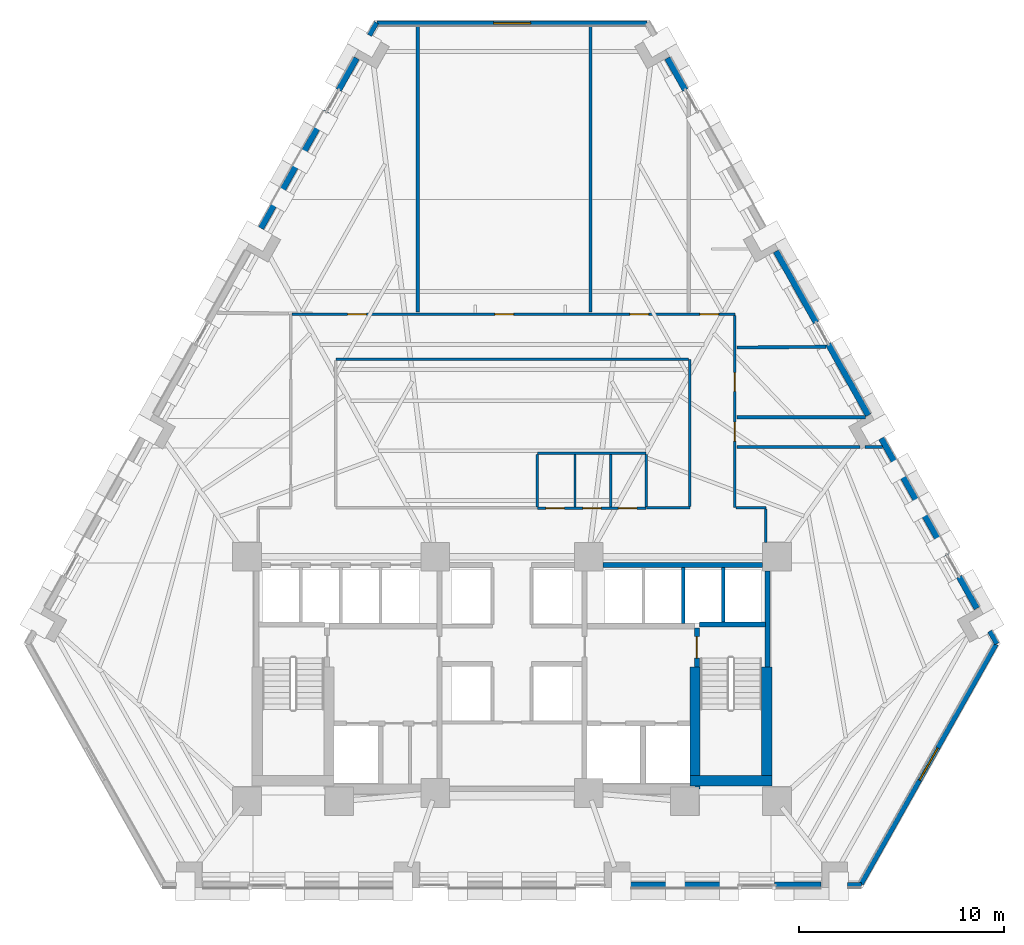
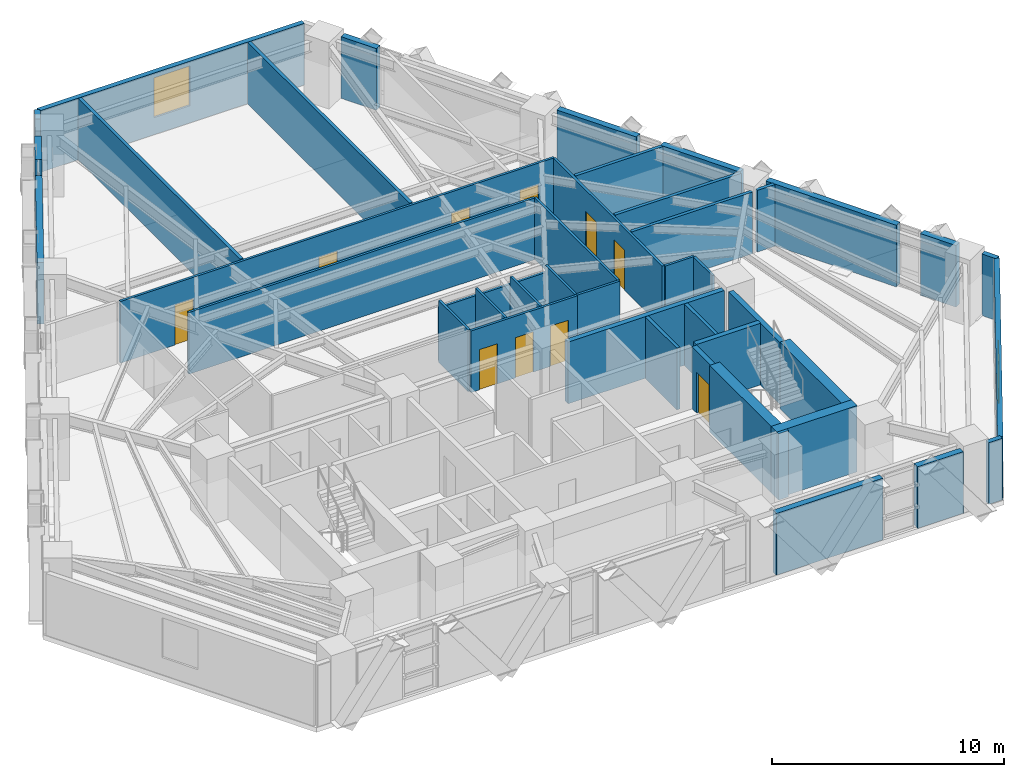
# One storey, part 8 of 13: 42 walls, 10 doors, 2 windows, 12 openings.
"""IFC4 building model written with IfcOpenShell, lengths in metres."""

from ifc_helpers import new_model, si_unit, direction, frame, frame_2d, origin, place, context, subcontext, project, spatial, rectangle, extrude, material, layer, layer_set, type_object, element, fill, save


model = new_model("IFC4")

# Units and contexts
model_context = context("Model", 3, precision=1e-05, world=origin(), true_north=direction((0.0, 1.0)))
body_context = subcontext(model_context, "Body", "Model", "MODEL_VIEW")
ifc_project = project(units=[si_unit("LENGTHUNIT", "METRE"), si_unit("AREAUNIT", "SQUARE_METRE"), si_unit("VOLUMEUNIT", "CUBIC_METRE"), si_unit("PLANEANGLEUNIT", "RADIAN"), si_unit("MASSUNIT", "GRAM", prefix="KILO")], contexts=[model_context])

# Site, building, storey
site_placement = place(None, origin())
site = spatial("IfcSite", under=ifc_project, at=site_placement, CompositionType="ELEMENT")
building_placement = place(site_placement, origin())
building = spatial("IfcBuilding", under=site, at=building_placement, Name="Quenlor Broadcast Tower", CompositionType="ELEMENT")
storey_placement = place(building_placement, frame((0.0, 0.0, 69.60009765625)))
storey = spatial("IfcBuildingStorey", under=building, at=storey_placement, Name="L18", CompositionType="ELEMENT", Elevation=69.60009765625)

# Walls
ifc_material_1 = material(Name="Concrete C65/80", Category="concrete")
ifc_layer_1 = layer(ifc_material_1, 0.5)
ifc_layer_set_1 = layer_set([ifc_layer_1], Name="Core Concrete C65/80 Shear Wall 500")
wall_type_1 = type_object("IfcWallType", Name="Core Concrete C65/80 Shear Wall 500", PredefinedType="SHEAR", material=ifc_layer_set_1)
wall_1_placement = place(storey_placement, frame((8.699951171875, -15.75, 0.0), z_axis=(0.0, 0.0, 1.0), x_axis=(1.0, 0.0, 0.0)))
element("IfcWall", 1, at=wall_1_placement, inside=storey, type_object=wall_type_1, Name="L18 Core Shear Wall WS-E2", PredefinedType="SHEAR", context=body_context, shape_type="SweptSolid", body=[
    extrude(rectangle(XDim=4.0, YDim=0.5, at=frame_2d((2.0, 0.0))), origin(), (0.0, 0.0, 1.0), 3.5),
])
wall_2_placement = place(storey_placement, frame((12.449951171875, -15.75, 0.0), z_axis=(0.0, 0.0, 1.0), x_axis=(0.0, 1.0, 0.0)))
element("IfcWall", 2, at=wall_2_placement, inside=storey, type_object=wall_type_1, Name="L18 Core Shear Wall WF-E", PredefinedType="SHEAR", context=body_context, shape_type="SweptSolid", body=[
    extrude(rectangle(XDim=5.550048828125, YDim=0.5, at=frame_2d((2.77490234375, 0.0))), origin(), (0.0, 0.0, 1.0), 3.5),
])
wall_3_placement = place(storey_placement, frame((8.949951171875, -16.14990234375, 0.0), z_axis=(0.0, 0.0, 1.0), x_axis=(0.0, 1.0, 0.0)))
element("IfcWall", 3, at=wall_3_placement, inside=storey, type_object=wall_type_1, Name="L18 Core Shear Wall WI-E", PredefinedType="SHEAR", context=body_context, shape_type="SweptSolid", body=[
    extrude(rectangle(XDim=5.949951171875, YDim=0.5, at=frame_2d((2.97509765625, 0.0))), origin(), (0.0, 0.0, 1.0), 3.5),
])

# Wall, opening, door
ifc_material_2 = material(Name="Concrete C40/50", Category="concrete")
ifc_layer_2 = layer(ifc_material_2, 0.25)
ifc_layer_set_2 = layer_set([ifc_layer_2], Name="Fire Rated Concrete C40/50 Core Wall 250")
wall_type_2 = type_object("IfcWallType", Name="Fire Rated Concrete C40/50 Core Wall 250", PredefinedType="PARTITIONING", material=ifc_layer_set_2)
wall_4_placement = place(storey_placement, frame((9.0400390625, -10.179931640625, 0.0), z_axis=(0.0, 0.0, 1.0), x_axis=(0.0, 1.0, 0.0)))
wall_4 = element("IfcWall", 4, at=wall_4_placement, inside=storey, type_object=wall_type_2, Name="L18 Interior Wall CW-ST2-DR", PredefinedType="PARTITIONING", context=body_context, shape_type="SweptSolid", body=[
    extrude(rectangle(XDim=1.89990234375, YDim=0.25, at=frame_2d((0.949951171875, 0.0))), origin(), (0.0, 0.0, 1.0), 3.25),
])
opening_1_placement = place(wall_4_placement, frame((0.419921875, 0.0, 0.0)))
opening_1 = element("IfcOpeningElement", 5, at=opening_1_placement, cuts=wall_4, Name="Opening FD-1", PredefinedType="OPENING", context=body_context, shape_type="SweptSolid", body=[
    extrude(rectangle(XDim=1.050048828125, YDim=2.14990234375, at=frame_2d((0.52490234375, 1.074951171875))), frame((0.0, 0.135009765625, 0.0), z_axis=(0.0, -1.0, 0.0), x_axis=(1.0, 0.0, 0.0)), (0.0, 0.0, 1.0), 0.27001953125),
])
ifc_material_3 = material(Name="Fire Rated Steel Door Leaf", Category="steel")
door_type_1 = type_object("IfcDoorType", Name="Fire Isolated Stair Door 1050x2150", OperationType="NOTDEFINED", PredefinedType="DOOR", material=ifc_material_3)
door_1_placement = place(opening_1_placement, origin())
door_1 = element("IfcDoor", 6, at=door_1_placement, inside=storey, type_object=door_type_1, Name="L18 Door DR-ST2", OperationType="SINGLE_SWING_RIGHT", OverallHeight=2.14990234375, OverallWidth=1.050048828125, PredefinedType="DOOR", context=body_context, shape_type="SweptSolid", body=[
    extrude(rectangle(XDim=1.050048828125, YDim=2.14990234375, at=frame_2d((0.52490234375, 1.074951171875))), frame((0.0, 0.02490234375, 0.0), z_axis=(0.0, -1.0, 0.0), x_axis=(1.0, 0.0, 0.0)), (0.0, 0.0, 1.0), 0.050048828125),
])
fill(opening_1, door_1)

# Walls
wall_5_placement = place(storey_placement, frame((9.159912109375, -8.1201171875, 0.0), z_axis=(0.0, 0.0, 1.0), x_axis=(1.0, 0.0, 0.0)))
element("IfcWall", 7, at=wall_5_placement, inside=storey, type_object=wall_type_2, Name="L18 Interior Wall CW-ST2-N", PredefinedType="PARTITIONING", context=body_context, shape_type="SweptSolid", body=[
    extrude(rectangle(XDim=3.219970703125, YDim=0.25, at=frame_2d((1.60986328125, 0.0))), origin(), (0.0, 0.0, 1.0), 3.25),
])
wall_6_placement = place(storey_placement, frame((12.47998046875, -10.179931640625, 0.0), z_axis=(0.0, 0.0, 1.0), x_axis=(0.0, 1.0, 0.0)))
element("IfcWall", 8, at=wall_6_placement, inside=storey, type_object=wall_type_2, Name="L18 Interior Wall CW-ST2-E2", PredefinedType="PARTITIONING", context=body_context, shape_type="SweptSolid", body=[
    extrude(rectangle(XDim=4.677978515625, YDim=0.25, at=frame_2d((2.3388671875, 0.0))), origin(), (0.0, 0.0, 1.0), 3.25),
])
wall_7_placement = place(storey_placement, frame((4.451904296875, -5.199951171875, 0.0), z_axis=(0.0, 0.0, 1.0), x_axis=(1.0, 0.0, 0.0)))
element("IfcWall", 9, at=wall_7_placement, inside=storey, type_object=wall_type_2, Name="L18 Interior Wall CW-N-E", PredefinedType="PARTITIONING", context=body_context, shape_type="SweptSolid", body=[
    extrude(rectangle(XDim=7.796142578125, YDim=0.25, at=frame_2d((3.89794921875, 0.0))), origin(), (0.0, 0.0, 1.0), 3.25),
])
ifc_material_4 = material(Name="Gypsum Fireboard Partition", Category="other")
ifc_layer_3 = layer(ifc_material_4, 0.159912109375)
ifc_layer_set_3 = layer_set([ifc_layer_3], Name="Fire Rated Shaft and Corridor Partition 160")
wall_type_3 = type_object("IfcWallType", Name="Fire Rated Shaft and Corridor Partition 160", PredefinedType="PARTITIONING", material=ifc_layer_set_3)
wall_8_placement = place(storey_placement, frame((8.375, -8.072998046875, 0.0), z_axis=(0.0, 0.0, 1.0), x_axis=(0.0, 1.0, 0.0)))
element("IfcWall", 10, at=wall_8_placement, inside=storey, type_object=wall_type_3, Name="L18 Interior Wall CW-PLH-D2", PredefinedType="PARTITIONING", context=body_context, shape_type="SweptSolid", body=[
    extrude(rectangle(XDim=2.73291015625, YDim=0.159912109375, at=frame_2d((1.366455078125, 0.0))), origin(), (0.0, 0.0, 1.0), 3.25),
])
wall_9_placement = place(storey_placement, frame((10.324951171875, -7.992919921875, 0.0), z_axis=(0.0, 0.0, 1.0), x_axis=(0.0, 1.0, 0.0)))
element("IfcWall", 11, at=wall_9_placement, inside=storey, type_object=wall_type_3, Name="L18 Interior Wall CW-PLH-D3", PredefinedType="PARTITIONING", context=body_context, shape_type="SweptSolid", body=[
    extrude(rectangle(XDim=2.65283203125, YDim=0.159912109375, at=frame_2d((1.326416015625, 0.0))), origin(), (0.0, 0.0, 1.0), 3.25),
])
for number, where, z_axis, x_axis, name in (
    (12, (3.840087890625, 21.14990234375, 0.0), (0.0, 0.0, 1.0), (0.0, -1.0, 0.0), "L18 Interior Wall PW-DV-01"),
    (13, (-4.60009765625, 7.159912109375, 0.0), (0.0, 0.0, 1.0), (0.0, 1.0, 0.0), "L18 Interior Wall PW-DV-02"),
):
    element("IfcWall", number, at=place(storey_placement, frame(where, z_axis=z_axis, x_axis=x_axis)), inside=storey, type_object=wall_type_3, Name=name, PredefinedType="PARTITIONING", context=body_context, shape_type="SweptSolid", body=[
        extrude(rectangle(XDim=13.989990234375, YDim=0.159912109375, at=frame_2d((6.9951171875, 0.0))), origin(), (0.0, 0.0, 1.0), 3.25),
    ])
wall_10_placement = place(storey_placement, frame((15.358642578125, 5.45947265625, 0.0), z_axis=(0.0, 0.0, 1.0), x_axis=(-0.999961739957, -0.00874749237, 0.0)))
element("IfcWall", 14, at=wall_10_placement, inside=storey, type_object=wall_type_3, Name="L18 Interior Wall PW-DV-05", PredefinedType="PARTITIONING", context=body_context, shape_type="SweptSolid", body=[
    extrude(rectangle(XDim=4.35400390625, YDim=0.159912109375, at=frame_2d((2.177001953125, 0.0))), origin(), (0.0, 0.0, 1.0), 3.25),
])
wall_11_placement = place(storey_placement, frame((17.2841796875, 2.02001953125, 0.0), z_axis=(0.0, 0.0, 1.0), x_axis=(-1.0, 0.0, 0.0)))
element("IfcWall", 15, at=wall_11_placement, inside=storey, type_object=wall_type_3, Name="L18 Interior Wall PW-DV-06", PredefinedType="PARTITIONING", context=body_context, shape_type="SweptSolid", body=[
    extrude(rectangle(XDim=6.279296875, YDim=0.159912109375, at=frame_2d((3.1396484375, 0.0))), origin(), (0.0, 0.0, 1.0), 3.25),
])
wall_12_placement = place(storey_placement, frame((18.11279296875, 0.563232421875, 0.0), z_axis=(0.0, 0.0, 1.0), x_axis=(-1.0, 0.0, 0.0)))
element("IfcWall", 16, at=wall_12_placement, inside=storey, type_object=wall_type_3, Name="L18 Interior Wall PW-DV-07", PredefinedType="PARTITIONING", context=body_context, shape_type="SweptSolid", body=[
    extrude(rectangle(XDim=0.860595703125, YDim=0.159912109375, at=frame_2d((0.43017578125, 0.0))), origin(), (0.0, 0.0, 1.0), 3.25),
])
wall_13_placement = place(storey_placement, frame((17.005615234375, 0.563232421875, 0.0), z_axis=(0.0, 0.0, 1.0), x_axis=(-1.0, 0.0, 0.0)))
element("IfcWall", 17, at=wall_13_placement, inside=storey, type_object=wall_type_3, Name="L18 Interior Wall PW-DV-07S2", PredefinedType="PARTITIONING", context=body_context, shape_type="SweptSolid", body=[
    extrude(rectangle(XDim=6.000732421875, YDim=0.159912109375, at=frame_2d((3.00048828125, 0.0))), origin(), (0.0, 0.0, 1.0), 3.25),
])

# Wall, openings, doors
ifc_material_5 = material(Name="Gypsum Plasterboard Partition", Category="other")
ifc_layer_4 = layer(ifc_material_5, 0.1201171875)
ifc_layer_set_4 = layer_set([ifc_layer_4], Name="Standard Office Partition 120")
wall_type_4 = type_object("IfcWallType", Name="Standard Office Partition 120", PredefinedType="PARTITIONING", material=ifc_layer_set_4)
wall_14_placement = place(storey_placement, frame((1.239990234375, -2.43994140625, 0.0), z_axis=(0.0, 0.0, 1.0), x_axis=(1.0, 0.0, 0.0)))
wall_14 = element("IfcWall", 18, at=wall_14_placement, inside=storey, type_object=wall_type_4, Name="L18 Interior Wall PW-WC-S", PredefinedType="PARTITIONING", context=body_context, shape_type="SweptSolid", body=[
    extrude(rectangle(XDim=5.320068359375, YDim=0.1201171875, at=frame_2d((2.66015625, 0.0))), origin(), (0.0, 0.0, 1.0), 3.25),
])
opening_2_placement = place(wall_14_placement, frame((0.419921875, 0.0, 0.0)))
opening_2 = element("IfcOpeningElement", 19, at=opening_2_placement, cuts=wall_14, Name="Opening ID-3", PredefinedType="OPENING", context=body_context, shape_type="SweptSolid", body=[
    extrude(rectangle(XDim=0.89990234375, YDim=2.1201171875, at=frame_2d((0.449951171875, 1.06005859375))), frame((0.0, 0.070068359375, 0.0), z_axis=(0.0, -1.0, 0.0), x_axis=(1.0, 0.0, 0.0)), (0.0, 0.0, 1.0), 0.14013671875),
])
opening_3_placement = place(wall_14_placement, frame((2.219970703125, 0.0, 0.0)))
opening_3 = element("IfcOpeningElement", 20, at=opening_3_placement, cuts=wall_14, Name="Opening ID-3", PredefinedType="OPENING", context=body_context, shape_type="SweptSolid", body=[
    extrude(rectangle(XDim=0.89990234375, YDim=2.1201171875, at=frame_2d((0.449951171875, 1.06005859375))), frame((0.0, 0.070068359375, 0.0), z_axis=(0.0, -1.0, 0.0), x_axis=(1.0, 0.0, 0.0)), (0.0, 0.0, 1.0), 0.14013671875),
])
opening_4_placement = place(wall_14_placement, frame((3.9599609375, 0.0, 0.0)))
opening_4 = element("IfcOpeningElement", 21, at=opening_4_placement, cuts=wall_14, Name="Opening ID-3", PredefinedType="OPENING", context=body_context, shape_type="SweptSolid", body=[
    extrude(rectangle(XDim=0.89990234375, YDim=2.1201171875, at=frame_2d((0.449951171875, 1.06005859375))), frame((0.0, 0.070068359375, 0.0), z_axis=(0.0, -1.0, 0.0), x_axis=(1.0, 0.0, 0.0)), (0.0, 0.0, 1.0), 0.14013671875),
])
ifc_material_6 = material(Name="Moisture Resistant Timber Oak", Category="wood")
door_type_2 = type_object("IfcDoorType", Name="Washroom Privacy Door 900x2120", OperationType="NOTDEFINED", PredefinedType="DOOR", material=ifc_material_6)
door_2_placement = place(opening_2_placement, origin())
door_2 = element("IfcDoor", 22, at=door_2_placement, inside=storey, type_object=door_type_2, Name="L18 Door DR-AWC", OperationType="SINGLE_SWING_LEFT", OverallHeight=2.1201171875, OverallWidth=0.89990234375, PredefinedType="DOOR", context=body_context, shape_type="SweptSolid", body=[
    extrude(rectangle(XDim=0.89990234375, YDim=2.1201171875, at=frame_2d((0.449951171875, 1.06005859375))), frame((0.0, 0.02490234375, 0.0), z_axis=(0.0, -1.0, 0.0), x_axis=(1.0, 0.0, 0.0)), (0.0, 0.0, 1.0), 0.050048828125),
])
fill(opening_2, door_2)
door_3_placement = place(opening_3_placement, origin())
door_3 = element("IfcDoor", 23, at=door_3_placement, inside=storey, type_object=door_type_2, Name="L18 Door DR-MWC", OperationType="SINGLE_SWING_LEFT", OverallHeight=2.1201171875, OverallWidth=0.89990234375, PredefinedType="DOOR", context=body_context, shape_type="SweptSolid", body=[
    extrude(rectangle(XDim=0.89990234375, YDim=2.1201171875, at=frame_2d((0.449951171875, 1.06005859375))), frame((0.0, 0.02490234375, 0.0), z_axis=(0.0, -1.0, 0.0), x_axis=(1.0, 0.0, 0.0)), (0.0, 0.0, 1.0), 0.050048828125),
])
fill(opening_3, door_3)
door_4_placement = place(opening_4_placement, origin())
door_4 = element("IfcDoor", 24, at=door_4_placement, inside=storey, type_object=door_type_2, Name="L18 Door DR-FWC", OperationType="SINGLE_SWING_RIGHT", OverallHeight=2.1201171875, OverallWidth=0.89990234375, PredefinedType="DOOR", context=body_context, shape_type="SweptSolid", body=[
    extrude(rectangle(XDim=0.89990234375, YDim=2.1201171875, at=frame_2d((0.449951171875, 1.06005859375))), frame((0.0, 0.02490234375, 0.0), z_axis=(0.0, -1.0, 0.0), x_axis=(1.0, 0.0, 0.0)), (0.0, 0.0, 1.0), 0.050048828125),
])
fill(opening_4, door_4)

# Walls
wall_15_placement = place(storey_placement, frame((1.239990234375, 0.260009765625, 0.0), z_axis=(0.0, 0.0, 1.0), x_axis=(1.0, 0.0, 0.0)))
element("IfcWall", 25, at=wall_15_placement, inside=storey, type_object=wall_type_4, Name="L18 Interior Wall PW-WC-N", PredefinedType="PARTITIONING", context=body_context, shape_type="SweptSolid", body=[
    extrude(rectangle(XDim=5.320068359375, YDim=0.1201171875, at=frame_2d((2.66015625, 0.0))), origin(), (0.0, 0.0, 1.0), 2.843505859375),
])
for number, where, z_axis, x_axis, name in (
    (26, (1.239990234375, -2.3779296875, 0.0), (0.0, 0.0, 1.0), (0.0, 1.0, 0.0), "L18 Interior Wall PW-WC-W"),
    (27, (3.080078125, -2.3779296875, 0.0), (0.0, 0.0, 1.0), (0.0, 1.0, 0.0), "L18 Interior Wall PW-WC-M1"),
    (28, (4.820068359375, -2.3779296875, 0.0), (0.0, 0.0, 1.0), (0.0, 1.0, 0.0), "L18 Interior Wall PW-WC-M2"),
    (29, (6.56005859375, -2.3779296875, 0.0), (0.0, 0.0, 1.0), (0.0, 1.0, 0.0), "L18 Interior Wall PW-WC-E"),
):
    element("IfcWall", number, at=place(storey_placement, frame(where, z_axis=z_axis, x_axis=x_axis)), inside=storey, type_object=wall_type_4, Name=name, PredefinedType="PARTITIONING", context=body_context, shape_type="SweptSolid", body=[
        extrude(rectangle(XDim=2.575927734375, YDim=0.1201171875, at=frame_2d((1.2880859375, 0.0))), origin(), (0.0, 0.0, 1.0), 3.25),
    ])

# Wall, openings, doors
wall_16_placement = place(storey_placement, frame((-10.742919921875, 7.050048828125, 0.0), z_axis=(0.0, 0.0, 1.0), x_axis=(1.0, 0.0, 0.0)))
wall_16 = element("IfcWall", 30, at=wall_16_placement, inside=storey, type_object=wall_type_4, Name="L18 Interior Wall PW-CR-03", PredefinedType="PARTITIONING", context=body_context, shape_type="SweptSolid", body=[
    extrude(rectangle(XDim=21.637939453125, YDim=0.1201171875, at=frame_2d((10.81884765625, 0.0))), origin(), (0.0, 0.0, 1.0), 3.25),
])
opening_5_placement = place(wall_16_placement, frame((9.903076171875, 0.0, 0.0)))
opening_5 = element("IfcOpeningElement", 31, at=opening_5_placement, cuts=wall_16, Name="Opening ID-1", PredefinedType="OPENING", context=body_context, shape_type="SweptSolid", body=[
    extrude(rectangle(XDim=0.919921875, YDim=2.1201171875, at=frame_2d((0.4599609375, 1.06005859375))), frame((0.0, 0.070068359375, 0.0), z_axis=(0.0, -1.0, 0.0), x_axis=(1.0, 0.0, 0.0)), (0.0, 0.0, 1.0), 0.14013671875),
])
opening_6_placement = place(wall_16_placement, frame((16.5029296875, 0.0, 0.0)))
opening_6 = element("IfcOpeningElement", 32, at=opening_6_placement, cuts=wall_16, Name="Opening ID-1", PredefinedType="OPENING", context=body_context, shape_type="SweptSolid", body=[
    extrude(rectangle(XDim=0.919921875, YDim=2.1201171875, at=frame_2d((0.4599609375, 1.06005859375))), frame((0.0, 0.070068359375, 0.0), z_axis=(0.0, -1.0, 0.0), x_axis=(1.0, 0.0, 0.0)), (0.0, 0.0, 1.0), 0.14013671875),
])
opening_7_placement = place(wall_16_placement, frame((2.7099609375, 0.0, 0.0)))
opening_7 = element("IfcOpeningElement", 33, at=opening_7_placement, cuts=wall_16, Name="Opening ID-1", PredefinedType="OPENING", context=body_context, shape_type="SweptSolid", body=[
    extrude(rectangle(XDim=0.919921875, YDim=2.1201171875, at=frame_2d((0.4599609375, 1.06005859375))), frame((0.0, 0.070068359375, 0.0), z_axis=(0.0, -1.0, 0.0), x_axis=(1.0, 0.0, 0.0)), (0.0, 0.0, 1.0), 0.14013671875),
])
opening_8_placement = place(wall_16_placement, frame((19.9208984375, 0.0, 0.0)))
opening_8 = element("IfcOpeningElement", 34, at=opening_8_placement, cuts=wall_16, Name="Opening ID-1", PredefinedType="OPENING", context=body_context, shape_type="SweptSolid", body=[
    extrude(rectangle(XDim=0.919921875, YDim=2.1201171875, at=frame_2d((0.4599609375, 1.06005859375))), frame((0.0, 0.070068359375, 0.0), z_axis=(0.0, -1.0, 0.0), x_axis=(1.0, 0.0, 0.0)), (0.0, 0.0, 1.0), 0.14013671875),
])
ifc_material_7 = material(Name="Solid Core Timber Oak", Category="wood")
door_type_3 = type_object("IfcDoorType", Name="Single Leaf Timber Office Door 920x2120", OperationType="NOTDEFINED", PredefinedType="DOOR", material=ifc_material_7)
door_5_placement = place(opening_5_placement, origin())
door_5 = element("IfcDoor", 35, at=door_5_placement, inside=storey, type_object=door_type_3, Name="L18 Door DR-RM01", OperationType="SINGLE_SWING_LEFT", OverallHeight=2.1201171875, OverallWidth=0.919921875, PredefinedType="DOOR", context=body_context, shape_type="SweptSolid", body=[
    extrude(rectangle(XDim=0.919921875, YDim=2.1201171875, at=frame_2d((0.4599609375, 1.06005859375))), frame((0.0, 0.02490234375, 0.0), z_axis=(0.0, -1.0, 0.0), x_axis=(1.0, 0.0, 0.0)), (0.0, 0.0, 1.0), 0.050048828125),
])
fill(opening_5, door_5)
door_6_placement = place(opening_6_placement, origin())
door_6 = element("IfcDoor", 36, at=door_6_placement, inside=storey, type_object=door_type_3, Name="L18 Door DR-RM02", OperationType="SINGLE_SWING_RIGHT", OverallHeight=2.1201171875, OverallWidth=0.919921875, PredefinedType="DOOR", context=body_context, shape_type="SweptSolid", body=[
    extrude(rectangle(XDim=0.919921875, YDim=2.1201171875, at=frame_2d((0.4599609375, 1.06005859375))), frame((0.0, 0.02490234375, 0.0), z_axis=(0.0, -1.0, 0.0), x_axis=(1.0, 0.0, 0.0)), (0.0, 0.0, 1.0), 0.050048828125),
])
fill(opening_6, door_6)
door_7_placement = place(opening_7_placement, origin())
door_7 = element("IfcDoor", 37, at=door_7_placement, inside=storey, type_object=door_type_3, Name="L18 Door DR-RM03", OperationType="SINGLE_SWING_LEFT", OverallHeight=2.1201171875, OverallWidth=0.919921875, PredefinedType="DOOR", context=body_context, shape_type="SweptSolid", body=[
    extrude(rectangle(XDim=0.919921875, YDim=2.1201171875, at=frame_2d((0.4599609375, 1.06005859375))), frame((0.0, 0.02490234375, 0.0), z_axis=(0.0, -1.0, 0.0), x_axis=(1.0, 0.0, 0.0)), (0.0, 0.0, 1.0), 0.050048828125),
])
fill(opening_7, door_7)
door_8_placement = place(opening_8_placement, origin())
door_8 = element("IfcDoor", 38, at=door_8_placement, inside=storey, type_object=door_type_3, Name="L18 Door DR-RM04", OperationType="SINGLE_SWING_RIGHT", OverallHeight=2.1201171875, OverallWidth=0.919921875, PredefinedType="DOOR", context=body_context, shape_type="SweptSolid", body=[
    extrude(rectangle(XDim=0.919921875, YDim=2.1201171875, at=frame_2d((0.4599609375, 1.06005859375))), frame((0.0, 0.02490234375, 0.0), z_axis=(0.0, -1.0, 0.0), x_axis=(1.0, 0.0, 0.0)), (0.0, 0.0, 1.0), 0.050048828125),
])
fill(opening_8, door_8)

wall_17_placement = place(storey_placement, frame((10.89501953125, 6.988037109375, 0.0), z_axis=(0.0, 0.0, 1.0), x_axis=(0.0, -1.0, 0.0)))
wall_17 = element("IfcWall", 39, at=wall_17_placement, inside=storey, type_object=wall_type_4, Name="L18 Interior Wall PW-CR-04", PredefinedType="PARTITIONING", context=body_context, shape_type="SweptSolid", body=[
    extrude(rectangle(XDim=9.387939453125, YDim=0.1201171875, at=frame_2d((4.69384765625, 0.0))), origin(), (0.0, 0.0, 1.0), 3.25),
])
opening_9_placement = place(wall_17_placement, frame((2.7880859375, 0.0, 0.0)))
opening_9 = element("IfcOpeningElement", 40, at=opening_9_placement, cuts=wall_17, Name="Opening ID-1", PredefinedType="OPENING", context=body_context, shape_type="SweptSolid", body=[
    extrude(rectangle(XDim=0.919921875, YDim=2.1201171875, at=frame_2d((0.4599609375, 1.06005859375))), frame((0.0, 0.070068359375, 0.0), z_axis=(0.0, -1.0, 0.0), x_axis=(1.0, 0.0, 0.0)), (0.0, 0.0, 1.0), 0.14013671875),
])
opening_10_placement = place(wall_17_placement, frame((5.216064453125, 0.0, 0.0)))
opening_10 = element("IfcOpeningElement", 41, at=opening_10_placement, cuts=wall_17, Name="Opening ID-1", PredefinedType="OPENING", context=body_context, shape_type="SweptSolid", body=[
    extrude(rectangle(XDim=0.919921875, YDim=2.1201171875, at=frame_2d((0.4599609375, 1.06005859375))), frame((0.0, 0.070068359375, 0.0), z_axis=(0.0, -1.0, 0.0), x_axis=(1.0, 0.0, 0.0)), (0.0, 0.0, 1.0), 0.14013671875),
])
door_9_placement = place(opening_9_placement, origin())
door_9 = element("IfcDoor", 42, at=door_9_placement, inside=storey, type_object=door_type_3, Name="L18 Door DR-RM06", OperationType="SINGLE_SWING_RIGHT", OverallHeight=2.1201171875, OverallWidth=0.919921875, PredefinedType="DOOR", context=body_context, shape_type="SweptSolid", body=[
    extrude(rectangle(XDim=0.919921875, YDim=2.1201171875, at=frame_2d((0.4599609375, 1.06005859375))), frame((0.0, 0.02490234375, 0.0), z_axis=(0.0, -1.0, 0.0), x_axis=(1.0, 0.0, 0.0)), (0.0, 0.0, 1.0), 0.050048828125),
])
fill(opening_9, door_9)
door_10_placement = place(opening_10_placement, origin())
door_10 = element("IfcDoor", 43, at=door_10_placement, inside=storey, type_object=door_type_3, Name="L18 Door DR-RM07", OperationType="SINGLE_SWING_LEFT", OverallHeight=2.1201171875, OverallWidth=0.919921875, PredefinedType="DOOR", context=body_context, shape_type="SweptSolid", body=[
    extrude(rectangle(XDim=0.919921875, YDim=2.1201171875, at=frame_2d((0.4599609375, 1.06005859375))), frame((0.0, 0.02490234375, 0.0), z_axis=(0.0, -1.0, 0.0), x_axis=(1.0, 0.0, 0.0)), (0.0, 0.0, 1.0), 0.050048828125),
])
fill(opening_10, door_10)

# Walls
wall_18_placement = place(storey_placement, frame((10.95703125, -2.39990234375, 0.0), z_axis=(0.0, 0.0, 1.0), x_axis=(1.0, 0.0, 0.0)))
element("IfcWall", 44, at=wall_18_placement, inside=storey, type_object=wall_type_4, Name="L18 Interior Wall PW-CR-05", PredefinedType="PARTITIONING", context=body_context, shape_type="SweptSolid", body=[
    extrude(rectangle(XDim=1.452880859375, YDim=0.1201171875, at=frame_2d((0.7265625, 0.0))), origin(), (0.0, 0.0, 1.0), 3.25),
])
wall_19_placement = place(storey_placement, frame((12.409912109375, -2.4619140625, 0.0), z_axis=(0.0, 0.0, 1.0), x_axis=(0.0, -1.0, 0.0)))
element("IfcWall", 45, at=wall_19_placement, inside=storey, type_object=wall_type_4, Name="L18 Interior Wall PW-CR-06", PredefinedType="PARTITIONING", context=body_context, shape_type="SweptSolid", body=[
    extrude(rectangle(XDim=1.635986328125, YDim=0.1201171875, at=frame_2d((0.81787109375, 0.0))), origin(), (0.0, 0.0, 1.0), 3.25),
])
wall_20_placement = place(storey_placement, frame((6.56201171875, -2.39990234375, 0.0), z_axis=(0.0, 0.0, 1.0), x_axis=(1.0, 0.0, 0.0)))
element("IfcWall", 46, at=wall_20_placement, inside=storey, type_object=wall_type_4, Name="L18 Interior Wall PW-CR-08S2", PredefinedType="PARTITIONING", context=body_context, shape_type="SweptSolid", body=[
    extrude(rectangle(XDim=2.133056640625, YDim=0.1201171875, at=frame_2d((1.06640625, 0.0))), origin(), (0.0, 0.0, 1.0), 3.25),
])
wall_21_placement = place(storey_placement, frame((8.695068359375, -2.337890625, 0.0), z_axis=(0.0, 0.0, 1.0), x_axis=(0.0, 1.0, 0.0)))
element("IfcWall", 47, at=wall_21_placement, inside=storey, type_object=wall_type_4, Name="L18 Interior Wall PW-CR-09", PredefinedType="PARTITIONING", context=body_context, shape_type="SweptSolid", body=[
    extrude(rectangle(XDim=7.18798828125, YDim=0.1201171875, at=frame_2d((3.593994140625, 0.0))), origin(), (0.0, 0.0, 1.0), 3.25),
])
wall_22_placement = place(storey_placement, frame((8.633056640625, 4.85009765625, 0.0), z_axis=(0.0, 0.0, 1.0), x_axis=(-1.0, 0.0, 0.0)))
element("IfcWall", 48, at=wall_22_placement, inside=storey, type_object=wall_type_4, Name="L18 Interior Wall PW-CR-10", PredefinedType="PARTITIONING", context=body_context, shape_type="SweptSolid", body=[
    extrude(rectangle(XDim=17.238037109375, YDim=0.1201171875, at=frame_2d((8.619140625, 0.0))), origin(), (0.0, 0.0, 1.0), 3.25),
])
ifc_material_8 = material(Name="Precast concrete C40/50", Category="concrete")
ifc_layer_5 = layer(ifc_material_8, 0.239990234375)
ifc_layer_set_5 = layer_set([ifc_layer_5], Name="Terrace Threshold Precast Concrete C40/50 Wall 240")
wall_type_5 = type_object("IfcWallType", Name="Terrace Threshold Precast Concrete C40/50 Wall 240", PredefinedType="STANDARD", material=ifc_layer_set_5)
wall_23_placement = place(storey_placement, frame((17.075927734375, -20.840087890625, 0.0), z_axis=(0.0, 0.0, 1.0), x_axis=(-1.0, 0.0, 0.0)))
element("IfcWall", 49, at=wall_23_placement, inside=storey, type_object=wall_type_5, Name="L18 Exterior Wall L18-SHD-SS0", PredefinedType="STANDARD", context=body_context, shape_type="SweptSolid", body=[
    extrude(rectangle(XDim=0.680908203125, YDim=0.239990234375, at=frame_2d((0.34033203125, 0.0))), origin(), (0.0, 0.0, 1.0), 3.25),
])
wall_24_placement = place(storey_placement, frame((23.351806640625, -8.44091796875, 0.0), z_axis=(0.0, 0.0, 1.0), x_axis=(0.490523074758, -0.871428203084, 0.0)))
element("IfcWall", 50, at=wall_24_placement, inside=storey, type_object=wall_type_5, Name="L18 Exterior Wall L18-SHD-NES1", PredefinedType="STANDARD", context=body_context, shape_type="SweptSolid", body=[
    extrude(rectangle(XDim=0.708251953125, YDim=0.239990234375, at=frame_2d((0.35400390625, 0.0))), origin(), (0.0, 0.0, 1.0), 3.25),
])
wall_25_placement = place(storey_placement, frame((-6.968994140625, 20.68408203125, 0.0), z_axis=(0.0, 0.0, 1.0), x_axis=(0.490261239633, 0.871575537125, 0.0)))
element("IfcWall", 51, at=wall_25_placement, inside=storey, type_object=wall_type_5, Name="L18 Exterior Wall L18-SHD-NWS1", PredefinedType="STANDARD", context=body_context, shape_type="SweptSolid", body=[
    extrude(rectangle(XDim=0.7080078125, YDim=0.239990234375, at=frame_2d((0.35400390625, 0.0))), origin(), (0.0, 0.0, 1.0), 3.25),
])

# Wall, opening, window
wall_26_placement = place(storey_placement, frame((6.598388671875, 21.27197265625, 0.0), z_axis=(0.0, 0.0, 1.0), x_axis=(-1.0, 0.0, 0.0)))
wall_26 = element("IfcWall", 52, at=wall_26_placement, inside=storey, type_object=wall_type_5, Name="L18 Exterior Wall L18-CNR-02", PredefinedType="STANDARD", context=body_context, shape_type="SweptSolid", body=[
    extrude(rectangle(XDim=13.186767578125, YDim=0.239990234375, at=frame_2d((6.59326171875, 0.0))), origin(), (0.0, 0.0, 1.0), 3.25),
])
opening_11_placement = place(wall_26_placement, frame((5.693115234375, 0.0, 0.89990234375)))
opening_11 = element("IfcOpeningElement", 53, at=opening_11_placement, cuts=wall_26, Name="Opening WN-1", PredefinedType="OPENING", context=body_context, shape_type="SweptSolid", body=[
    extrude(rectangle(XDim=1.800048828125, YDim=2.10009765625, at=frame_2d((0.89990234375, 1.050048828125))), frame((0.0, 0.1298828125, 0.0), z_axis=(0.0, -1.0, 0.0), x_axis=(1.0, 0.0, 0.0)), (0.0, 0.0, 1.0), 0.260009765625),
])
ifc_material_9 = material(Name="Thermally Broken Aluminium and Low-E Glass", Category="aluminium")
window_type = type_object("IfcWindowType", Name="Tower Acoustic Vision Window 1800x2100", PartitioningType="SINGLE_PANEL", PredefinedType="WINDOW", material=ifc_material_9)
window_1_placement = place(opening_11_placement, origin())
window_1 = element("IfcWindow", 54, at=window_1_placement, inside=storey, type_object=window_type, Name="L18 Corner Chamfer Window 2", OverallHeight=2.10009765625, OverallWidth=1.800048828125, PartitioningType="SINGLE_PANEL", PredefinedType="WINDOW", context=body_context, shape_type="SweptSolid", body=[
    extrude(rectangle(XDim=1.800048828125, YDim=2.10009765625, at=frame_2d((0.89990234375, 1.050048828125))), frame((0.0, 0.030029296875, 0.0), z_axis=(0.0, -1.0, 0.0), x_axis=(1.0, 0.0, 0.0)), (0.0, 0.0, 1.0), 0.06005859375),
])
fill(opening_11, window_1)

wall_27_placement = place(storey_placement, frame((17.06689453125, -20.79638671875, 0.0), z_axis=(0.0, 0.0, 1.0), x_axis=(0.490268135177, 0.871571658345, 0.0)))
wall_27 = element("IfcWall", 55, at=wall_27_placement, inside=storey, type_object=wall_type_5, Name="L18 Exterior Wall L18-CNR-06", PredefinedType="STANDARD", context=body_context, shape_type="SweptSolid", body=[
    extrude(rectangle(XDim=13.44775390625, YDim=0.239990234375, at=frame_2d((6.723876953125, 0.0))), origin(), (0.0, 0.0, 1.0), 3.25),
])
opening_12_placement = place(wall_27_placement, frame((5.823974609375, 0.0, 0.89990234375)))
opening_12 = element("IfcOpeningElement", 56, at=opening_12_placement, cuts=wall_27, Name="Opening WN-1", PredefinedType="OPENING", context=body_context, shape_type="SweptSolid", body=[
    extrude(rectangle(XDim=1.800048828125, YDim=2.10009765625, at=frame_2d((0.89990234375, 1.050048828125))), frame((0.0, 0.1298828125, 0.0), z_axis=(0.0, -1.0, 0.0), x_axis=(1.0, 0.0, 0.0)), (0.0, 0.0, 1.0), 0.260009765625),
])
window_2_placement = place(opening_12_placement, origin())
window_2 = element("IfcWindow", 57, at=window_2_placement, inside=storey, type_object=window_type, Name="L18 Corner Chamfer Window 6", OverallHeight=2.10009765625, OverallWidth=1.800048828125, PartitioningType="SINGLE_PANEL", PredefinedType="WINDOW", context=body_context, shape_type="SweptSolid", body=[
    extrude(rectangle(XDim=1.800048828125, YDim=2.10009765625, at=frame_2d((0.89990234375, 1.050048828125))), frame((0.0, 0.030029296875, 0.0), z_axis=(0.0, -1.0, 0.0), x_axis=(1.0, 0.0, 0.0)), (0.0, 0.0, 1.0), 0.06005859375),
])
fill(opening_12, window_2)

# Walls
ifc_material_10 = material(Name="Precast concrete C40/50", Category="concrete")
ifc_layer_6 = layer(ifc_material_10, 0.300048828125)
ifc_layer_set_6 = layer_set([ifc_layer_6], Name="Terracotta Precast Concrete C40/50 Spandrel Wall 300")
wall_type_6 = type_object("IfcWallType", Name="Terracotta Precast Concrete C40/50 Spandrel Wall 300", PredefinedType="STANDARD", material=ifc_layer_set_6)
wall_28_placement = place(storey_placement, frame((15.114990234375, -20.840087890625, 0.0), z_axis=(0.0, 0.0, 1.0), x_axis=(-1.0, 0.0, 0.0)))
element("IfcWall", 58, at=wall_28_placement, inside=storey, type_object=wall_type_6, Name="L18 Exterior Wall L18-SA-SP1", PredefinedType="STANDARD", context=body_context, shape_type="SweptSolid", body=[
    extrude(rectangle(XDim=2.280029296875, YDim=0.300048828125, at=frame_2d((1.14013671875, 0.0))), origin(), (0.0, 0.0, 1.0), 3.25),
])
wall_29_placement = place(storey_placement, frame((11.106689453125, -20.840087890625, 0.0), z_axis=(0.0, 0.0, 1.0), x_axis=(-1.0, 0.0, 0.0)))
element("IfcWall", 59, at=wall_29_placement, inside=storey, type_object=wall_type_6, Name="L18 Exterior Wall L18-SA-SP2", PredefinedType="STANDARD", context=body_context, shape_type="SweptSolid", body=[
    extrude(rectangle(XDim=5.31591796875, YDim=0.300048828125, at=frame_2d((2.657958984375, 0.0))), origin(), (0.0, 0.0, 1.0), 3.25),
])
wall_30_placement = place(storey_placement, frame((7.5966796875, 19.568603515625, 0.0), z_axis=(0.0, 0.0, 1.0), x_axis=(0.490183206509, -0.871619426158, 0.0)))
element("IfcWall", 60, at=wall_30_placement, inside=storey, type_object=wall_type_6, Name="L18 Exterior Wall L18-NEA-SP1", PredefinedType="STANDARD", context=body_context, shape_type="SweptSolid", body=[
    extrude(rectangle(XDim=1.782470703125, YDim=0.300048828125, at=frame_2d((0.89111328125, 0.0))), origin(), (0.0, 0.0, 1.0), 3.25),
])
wall_31_placement = place(storey_placement, frame((18.049560546875, 0.985595703125, 0.0), z_axis=(0.0, 0.0, 1.0), x_axis=(0.490245297262, -0.871584504516, 0.0)))
element("IfcWall", 61, at=wall_31_placement, inside=storey, type_object=wall_type_6, Name="L18 Exterior Wall L18-NEC-SP1", PredefinedType="STANDARD", context=body_context, shape_type="SweptSolid", body=[
    extrude(rectangle(XDim=6.543701171875, YDim=0.300048828125, at=frame_2d((3.27197265625, 0.0))), origin(), (0.0, 0.0, 1.0), 3.25),
])
wall_32_placement = place(storey_placement, frame((21.8505859375, -5.771728515625, 0.0), z_axis=(0.0, 0.0, 1.0), x_axis=(0.490241729391, -0.871586511348, 0.0)))
element("IfcWall", 62, at=wall_32_placement, inside=storey, type_object=wall_type_6, Name="L18 Exterior Wall L18-NEC-SP2", PredefinedType="STANDARD", context=body_context, shape_type="SweptSolid", body=[
    extrude(rectangle(XDim=1.7822265625, YDim=0.300048828125, at=frame_2d((0.89111328125, 0.0))), origin(), (0.0, 0.0, 1.0), 3.25),
])
for number, where, z_axis, x_axis, name in (
    (63, (12.90625, 10.12890625, 0.0), (0.0, 0.0, 1.0), (0.49028736482, -0.871560841191, 0.0), "L18 Exterior Wall L18-NE-SP1"),
    (64, (15.45703125, 5.594482421875, 0.0), (0.0, 0.0, 1.0), (0.49028736482, -0.871560841191, 0.0), "L18 Exterior Wall L18-NE-SP2"),
):
    element("IfcWall", number, at=place(storey_placement, frame(where, z_axis=z_axis, x_axis=x_axis)), inside=storey, type_object=wall_type_6, Name=name, PredefinedType="STANDARD", context=body_context, shape_type="SweptSolid", body=[
        extrude(rectangle(XDim=3.9931640625, YDim=0.300048828125, at=frame_2d((1.99658203125, 0.0))), origin(), (0.0, 0.0, 1.0), 3.25),
    ])
wall_33_placement = place(storey_placement, frame((-12.271484375, 11.2578125, 0.0), z_axis=(0.0, 0.0, 1.0), x_axis=(0.490261239633, 0.871575537125, 0.0)))
element("IfcWall", 65, at=wall_33_placement, inside=storey, type_object=wall_type_6, Name="L18 Exterior Wall L18-NWC-SP1", PredefinedType="STANDARD", context=body_context, shape_type="SweptSolid", body=[
    extrude(rectangle(XDim=6.54345703125, YDim=0.300048828125, at=frame_2d((3.271728515625, 0.0))), origin(), (0.0, 0.0, 1.0), 3.25),
])
wall_34_placement = place(storey_placement, frame((-8.470458984375, 18.014892578125, 0.0), z_axis=(0.0, 0.0, 1.0), x_axis=(0.490183206509, 0.871619426158, 0.0)))
element("IfcWall", 66, at=wall_34_placement, inside=storey, type_object=wall_type_6, Name="L18 Exterior Wall L18-NWC-SP2", PredefinedType="STANDARD", context=body_context, shape_type="SweptSolid", body=[
    extrude(rectangle(XDim=1.782470703125, YDim=0.300048828125, at=frame_2d((0.89111328125, 0.0))), origin(), (0.0, 0.0, 1.0), 3.25),
])

save(model, "model.ifc")
